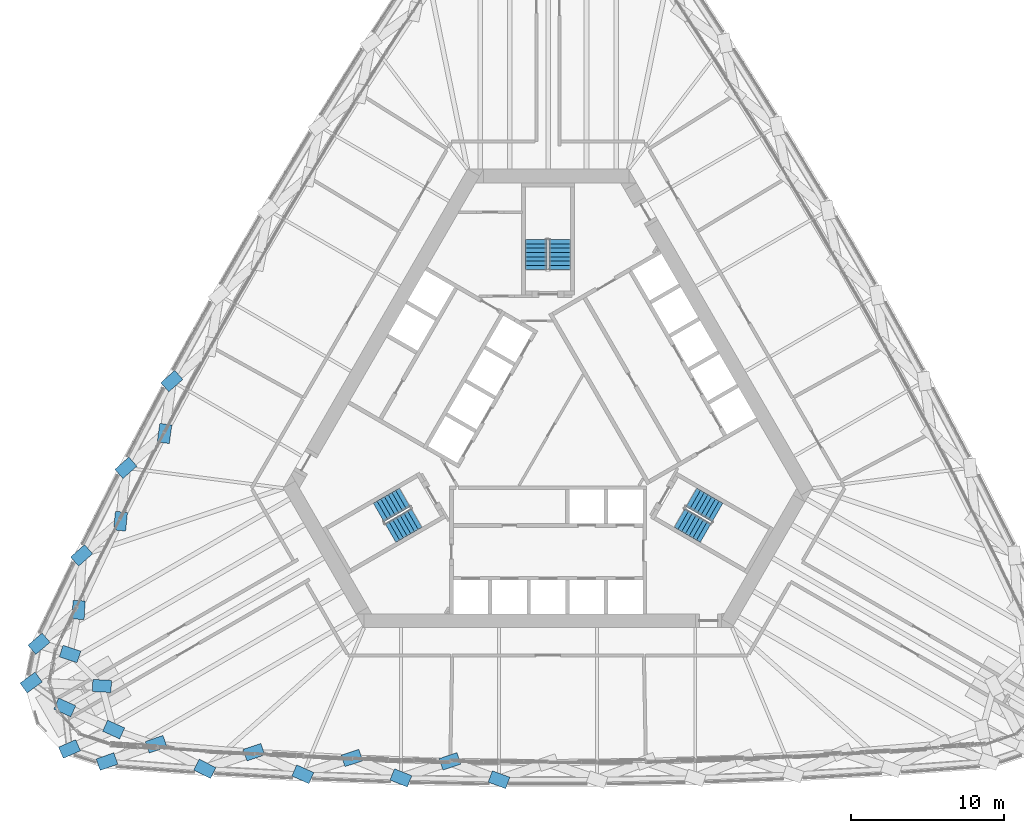
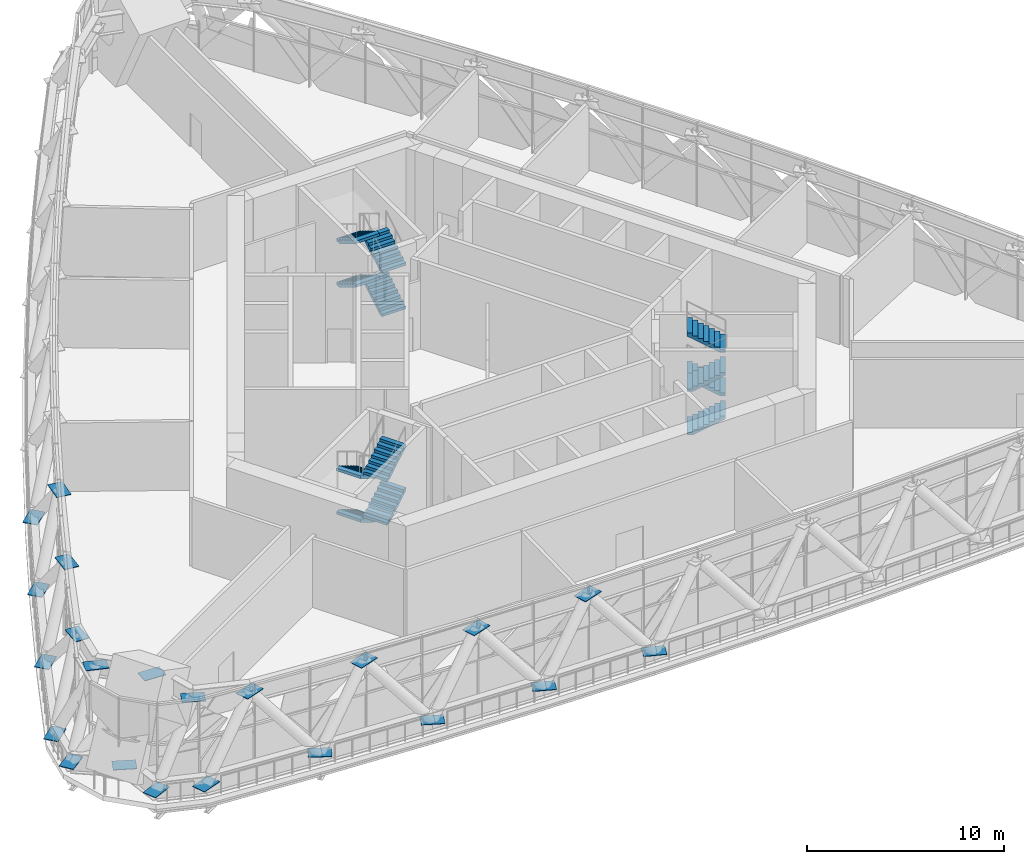
# One storey, part 31 of 43: 22 discrete accessories, 12 stair flights, 3 elements without a shape of their own.
"""IFC4 building model written with IfcOpenShell, lengths in metres."""

from ifc_helpers import new_model, si_unit, direction, frame, origin, place, context, subcontext, project, spatial, polyline, outline, extrude, material, layer, layer_set, type_object, element, aggregate, save


model = new_model("IFC4")

# Units and contexts
model_context = context("Model", 3, precision=1e-05, world=origin(), true_north=direction((0.0, 1.0)))
body_context = subcontext(model_context, "Body", "Model", "MODEL_VIEW")
ifc_project = project(units=[si_unit("LENGTHUNIT", "METRE"), si_unit("AREAUNIT", "SQUARE_METRE"), si_unit("VOLUMEUNIT", "CUBIC_METRE"), si_unit("PLANEANGLEUNIT", "RADIAN"), si_unit("MASSUNIT", "GRAM", prefix="KILO")], contexts=[model_context])

# Site, building, storey
site_placement = place(None, origin())
site = spatial("IfcSite", under=ifc_project, at=site_placement, CompositionType="ELEMENT")
building_placement = place(site_placement, origin())
building = spatial("IfcBuilding", under=site, at=building_placement, Name="Mestral Congress Tower", CompositionType="ELEMENT")
storey_placement = place(building_placement, frame((0.0, 0.0, 78.300048828125)))
storey = spatial("IfcBuildingStorey", under=building, at=storey_placement, Name="L18", CompositionType="ELEMENT", Elevation=78.300048828125)

# Stair, stair flights
ifc_material_1 = material(Name="Concrete C60/75", Category="concrete")
stair_type = type_object("IfcStairType", Name="Exit stair 1400", PredefinedType="HALF_TURN_STAIR", material=ifc_material_1)
placement_1 = place(storey_placement, origin())
stair_1 = element("IfcStair", 1, at=placement_1, inside=storey, type_object=stair_type, Name="L18 ST1", PredefinedType="HALF_TURN_STAIR")
stair_flight_type = type_object("IfcStairFlightType", Name="Exit stair flight 1400", PredefinedType="STRAIGHT", material=ifc_material_1)
stair_flight_1_placement = place(storey_placement, frame((8.575927734375, -5.84619140625, 0.0), z_axis=(0.0, 0.0, 1.0), x_axis=(0.866025403784, -0.5, 0.0)))
stair_flight_1 = element("IfcStairFlight", 2, at=stair_flight_1_placement, type_object=stair_flight_type, Name="ST1 flight 1", NumberOfRisers=8, NumberOfTreads=7, PredefinedType="STRAIGHT", RiserHeight=0.16875, TreadLength=0.28, context=body_context, shape_type="SweptSolid", body=[
    extrude(outline(polyline([(0.0, 0.0), (0.0, 0.168701171875), (0.280029296875, 0.168701171875), (0.280029296875, 0.33740234375), (0.56005859375, 0.33740234375), (0.56005859375, 0.50634765625), (0.840087890625, 0.50634765625), (0.840087890625, 0.675048828125), (1.1201171875, 0.675048828125), (1.1201171875, 0.84375), (1.39990234375, 0.84375), (1.39990234375, 1.012451171875), (1.679931640625, 1.012451171875), (1.679931640625, 1.18115234375), (1.9599609375, 1.18115234375), (1.9599609375, 1.35009765625), (1.9599609375, 1.00634765625), (0.29052734375, 0.0), (0.0, 0.0)])), frame((0.0, 0.699951171875, 0.0), z_axis=(0.0, -1.0, 0.0), x_axis=(1.0, 0.0, 0.0)), (0.0, 0.0, 1.0), 0.700927734375),
    extrude(outline(polyline([(0.0, 0.0), (0.0, 0.168701171875), (0.280029296875, 0.168701171875), (0.280029296875, 0.33740234375), (0.56005859375, 0.33740234375), (0.56005859375, 0.50634765625), (0.840087890625, 0.50634765625), (0.840087890625, 0.675048828125), (1.1201171875, 0.675048828125), (1.1201171875, 0.84375), (1.39990234375, 0.84375), (1.39990234375, 1.012451171875), (1.679931640625, 1.012451171875), (1.679931640625, 1.18115234375), (1.9599609375, 1.18115234375), (1.9599609375, 1.35009765625), (1.9599609375, 1.00634765625), (0.29052734375, 0.0), (0.0, 0.0)])), frame((0.0, 0.0009765625, 0.0), z_axis=(0.0, -1.0, 0.0), x_axis=(1.0, 0.0, 0.0)), (0.0, 0.0, 1.0), 0.700927734375),
])
stair_flight_2_placement = place(storey_placement, frame((11.04833984375, -5.48388671875, 1.349853515625), z_axis=(0.0, 0.0, 1.0), x_axis=(-0.866025403784, 0.5, 0.0)))
stair_flight_2 = element("IfcStairFlight", 3, at=stair_flight_2_placement, type_object=stair_flight_type, Name="ST1 flight 2", NumberOfRisers=8, NumberOfTreads=7, PredefinedType="STRAIGHT", RiserHeight=0.16875, TreadLength=0.28, context=body_context, shape_type="SweptSolid", body=[
    extrude(outline(polyline([(0.0, 0.0), (0.0, 0.168701171875), (0.280029296875, 0.168701171875), (0.280029296875, 0.33740234375), (0.56005859375, 0.33740234375), (0.56005859375, 0.50634765625), (0.840087890625, 0.50634765625), (0.840087890625, 0.675048828125), (1.1201171875, 0.675048828125), (1.1201171875, 0.84375), (1.39990234375, 0.84375), (1.39990234375, 1.012451171875), (1.679931640625, 1.012451171875), (1.679931640625, 1.18115234375), (1.9599609375, 1.18115234375), (1.9599609375, 1.35009765625), (1.9599609375, 1.00634765625), (0.29052734375, 0.0), (0.0, 0.0)])), frame((0.0, 0.699951171875, 0.0), z_axis=(0.0, -1.0, 0.0), x_axis=(1.0, 0.0, 0.0)), (0.0, 0.0, 1.0), 0.700927734375),
    extrude(outline(polyline([(0.0, 0.0), (0.0, 0.168701171875), (0.280029296875, 0.168701171875), (0.280029296875, 0.33740234375), (0.56005859375, 0.33740234375), (0.56005859375, 0.50634765625), (0.840087890625, 0.50634765625), (0.840087890625, 0.675048828125), (1.1201171875, 0.675048828125), (1.1201171875, 0.84375), (1.39990234375, 0.84375), (1.39990234375, 1.012451171875), (1.679931640625, 1.012451171875), (1.679931640625, 1.18115234375), (1.9599609375, 1.18115234375), (1.9599609375, 1.35009765625), (1.9599609375, 1.00634765625), (0.29052734375, 0.0), (0.0, 0.0)])), frame((0.0, 0.0009765625, 0.0), z_axis=(0.0, -1.0, 0.0), x_axis=(1.0, 0.0, 0.0)), (0.0, 0.0, 1.0), 0.700927734375),
])
stair_flight_3_placement = place(storey_placement, frame((8.575927734375, -5.84619140625, 2.699951171875), z_axis=(0.0, 0.0, 1.0), x_axis=(0.866025403784, -0.5, 0.0)))
stair_flight_3 = element("IfcStairFlight", 4, at=stair_flight_3_placement, type_object=stair_flight_type, Name="ST1 flight 3", NumberOfRisers=8, NumberOfTreads=7, PredefinedType="STRAIGHT", RiserHeight=0.16875, TreadLength=0.28, context=body_context, shape_type="SweptSolid", body=[
    extrude(outline(polyline([(0.0, 0.0), (0.0, 0.168701171875), (0.280029296875, 0.168701171875), (0.280029296875, 0.33740234375), (0.56005859375, 0.33740234375), (0.56005859375, 0.50634765625), (0.840087890625, 0.50634765625), (0.840087890625, 0.675048828125), (1.1201171875, 0.675048828125), (1.1201171875, 0.84375), (1.39990234375, 0.84375), (1.39990234375, 1.012451171875), (1.679931640625, 1.012451171875), (1.679931640625, 1.18115234375), (1.9599609375, 1.18115234375), (1.9599609375, 1.35009765625), (1.9599609375, 1.00634765625), (0.29052734375, 0.0), (0.0, 0.0)])), frame((0.0, 0.699951171875, 0.0), z_axis=(0.0, -1.0, 0.0), x_axis=(1.0, 0.0, 0.0)), (0.0, 0.0, 1.0), 0.700927734375),
    extrude(outline(polyline([(0.0, 0.0), (0.0, 0.168701171875), (0.280029296875, 0.168701171875), (0.280029296875, 0.33740234375), (0.56005859375, 0.33740234375), (0.56005859375, 0.50634765625), (0.840087890625, 0.50634765625), (0.840087890625, 0.675048828125), (1.1201171875, 0.675048828125), (1.1201171875, 0.84375), (1.39990234375, 0.84375), (1.39990234375, 1.012451171875), (1.679931640625, 1.012451171875), (1.679931640625, 1.18115234375), (1.9599609375, 1.18115234375), (1.9599609375, 1.35009765625), (1.9599609375, 1.00634765625), (0.29052734375, 0.0), (0.0, 0.0)])), frame((0.0, 0.0009765625, 0.0), z_axis=(0.0, -1.0, 0.0), x_axis=(1.0, 0.0, 0.0)), (0.0, 0.0, 1.0), 0.700927734375),
])
stair_flight_4_placement = place(storey_placement, frame((11.04833984375, -5.48388671875, 4.050048828125), z_axis=(0.0, 0.0, 1.0), x_axis=(-0.866025403784, 0.5, 0.0)))
stair_flight_4 = element("IfcStairFlight", 5, at=stair_flight_4_placement, type_object=stair_flight_type, Name="ST1 flight 4", NumberOfRisers=8, NumberOfTreads=7, PredefinedType="STRAIGHT", RiserHeight=0.16875, TreadLength=0.28, context=body_context, shape_type="SweptSolid", body=[
    extrude(outline(polyline([(0.0, 0.0), (0.0, 0.168701171875), (0.280029296875, 0.168701171875), (0.280029296875, 0.33740234375), (0.56005859375, 0.33740234375), (0.56005859375, 0.50634765625), (0.840087890625, 0.50634765625), (0.840087890625, 0.675048828125), (1.1201171875, 0.675048828125), (1.1201171875, 0.84375), (1.39990234375, 0.84375), (1.39990234375, 1.012451171875), (1.679931640625, 1.012451171875), (1.679931640625, 1.18115234375), (1.9599609375, 1.18115234375), (1.9599609375, 1.35009765625), (1.9599609375, 1.00634765625), (0.29052734375, 0.0), (0.0, 0.0)])), frame((0.0, 0.699951171875, 0.0), z_axis=(0.0, -1.0, 0.0), x_axis=(1.0, 0.0, 0.0)), (0.0, 0.0, 1.0), 0.700927734375),
    extrude(outline(polyline([(0.0, 0.0), (0.0, 0.168701171875), (0.280029296875, 0.168701171875), (0.280029296875, 0.33740234375), (0.56005859375, 0.33740234375), (0.56005859375, 0.50634765625), (0.840087890625, 0.50634765625), (0.840087890625, 0.675048828125), (1.1201171875, 0.675048828125), (1.1201171875, 0.84375), (1.39990234375, 0.84375), (1.39990234375, 1.012451171875), (1.679931640625, 1.012451171875), (1.679931640625, 1.18115234375), (1.9599609375, 1.18115234375), (1.9599609375, 1.35009765625), (1.9599609375, 1.00634765625), (0.29052734375, 0.0), (0.0, 0.0)])), frame((0.0, 0.0009765625, 0.0), z_axis=(0.0, -1.0, 0.0), x_axis=(1.0, 0.0, 0.0)), (0.0, 0.0, 1.0), 0.700927734375),
])
aggregate(stair_1, [stair_flight_1, stair_flight_2, stair_flight_3, stair_flight_4])

stair_2 = element("IfcStair", 6, at=placement_1, inside=storey, type_object=stair_type, Name="L18 ST2", PredefinedType="HALF_TURN_STAIR")
stair_flight_5_placement = place(storey_placement, frame((0.77490234375, 10.35009765625, 0.0), z_axis=(0.0, 0.0, 1.0), x_axis=(0.0, 1.0, 0.0)))
stair_flight_5 = element("IfcStairFlight", 7, at=stair_flight_5_placement, type_object=stair_flight_type, Name="ST2 flight 1", NumberOfRisers=8, NumberOfTreads=7, PredefinedType="STRAIGHT", RiserHeight=0.16875, TreadLength=0.28, context=body_context, shape_type="SweptSolid", body=[
    extrude(outline(polyline([(0.0, 0.0), (0.0, 0.168701171875), (0.280029296875, 0.168701171875), (0.280029296875, 0.33740234375), (0.56005859375, 0.33740234375), (0.56005859375, 0.50634765625), (0.840087890625, 0.50634765625), (0.840087890625, 0.675048828125), (1.1201171875, 0.675048828125), (1.1201171875, 0.84375), (1.39990234375, 0.84375), (1.39990234375, 1.012451171875), (1.679931640625, 1.012451171875), (1.679931640625, 1.18115234375), (1.9599609375, 1.18115234375), (1.9599609375, 1.35009765625), (1.9599609375, 1.00634765625), (0.29052734375, 0.0), (0.0, 0.0)])), frame((0.0, 0.699951171875, 0.0), z_axis=(0.0, -1.0, 0.0), x_axis=(1.0, 0.0, 0.0)), (0.0, 0.0, 1.0), 0.700927734375),
    extrude(outline(polyline([(0.0, 0.0), (0.0, 0.168701171875), (0.280029296875, 0.168701171875), (0.280029296875, 0.33740234375), (0.56005859375, 0.33740234375), (0.56005859375, 0.50634765625), (0.840087890625, 0.50634765625), (0.840087890625, 0.675048828125), (1.1201171875, 0.675048828125), (1.1201171875, 0.84375), (1.39990234375, 0.84375), (1.39990234375, 1.012451171875), (1.679931640625, 1.012451171875), (1.679931640625, 1.18115234375), (1.9599609375, 1.18115234375), (1.9599609375, 1.35009765625), (1.9599609375, 1.00634765625), (0.29052734375, 0.0), (0.0, 0.0)])), frame((0.0, 0.0009765625, 0.0), z_axis=(0.0, -1.0, 0.0), x_axis=(1.0, 0.0, 0.0)), (0.0, 0.0, 1.0), 0.700927734375),
])
stair_flight_6_placement = place(storey_placement, frame((-0.77490234375, 12.31005859375, 1.349853515625), z_axis=(0.0, 0.0, 1.0), x_axis=(0.0, -1.0, 0.0)))
stair_flight_6 = element("IfcStairFlight", 8, at=stair_flight_6_placement, type_object=stair_flight_type, Name="ST2 flight 2", NumberOfRisers=8, NumberOfTreads=7, PredefinedType="STRAIGHT", RiserHeight=0.16875, TreadLength=0.28, context=body_context, shape_type="SweptSolid", body=[
    extrude(outline(polyline([(0.0, 0.0), (0.0, 0.168701171875), (0.280029296875, 0.168701171875), (0.280029296875, 0.33740234375), (0.56005859375, 0.33740234375), (0.56005859375, 0.50634765625), (0.840087890625, 0.50634765625), (0.840087890625, 0.675048828125), (1.1201171875, 0.675048828125), (1.1201171875, 0.84375), (1.39990234375, 0.84375), (1.39990234375, 1.012451171875), (1.679931640625, 1.012451171875), (1.679931640625, 1.18115234375), (1.9599609375, 1.18115234375), (1.9599609375, 1.35009765625), (1.9599609375, 1.00634765625), (0.29052734375, 0.0), (0.0, 0.0)])), frame((0.0, 0.699951171875, 0.0), z_axis=(0.0, -1.0, 0.0), x_axis=(1.0, 0.0, 0.0)), (0.0, 0.0, 1.0), 0.700927734375),
    extrude(outline(polyline([(0.0, 0.0), (0.0, 0.168701171875), (0.280029296875, 0.168701171875), (0.280029296875, 0.33740234375), (0.56005859375, 0.33740234375), (0.56005859375, 0.50634765625), (0.840087890625, 0.50634765625), (0.840087890625, 0.675048828125), (1.1201171875, 0.675048828125), (1.1201171875, 0.84375), (1.39990234375, 0.84375), (1.39990234375, 1.012451171875), (1.679931640625, 1.012451171875), (1.679931640625, 1.18115234375), (1.9599609375, 1.18115234375), (1.9599609375, 1.35009765625), (1.9599609375, 1.00634765625), (0.29052734375, 0.0), (0.0, 0.0)])), frame((0.0, 0.0009765625, 0.0), z_axis=(0.0, -1.0, 0.0), x_axis=(1.0, 0.0, 0.0)), (0.0, 0.0, 1.0), 0.700927734375),
])
stair_flight_7_placement = place(storey_placement, frame((0.77490234375, 10.35009765625, 2.699951171875), z_axis=(0.0, 0.0, 1.0), x_axis=(0.0, 1.0, 0.0)))
stair_flight_7 = element("IfcStairFlight", 9, at=stair_flight_7_placement, type_object=stair_flight_type, Name="ST2 flight 3", NumberOfRisers=8, NumberOfTreads=7, PredefinedType="STRAIGHT", RiserHeight=0.16875, TreadLength=0.28, context=body_context, shape_type="SweptSolid", body=[
    extrude(outline(polyline([(0.0, 0.0), (0.0, 0.168701171875), (0.280029296875, 0.168701171875), (0.280029296875, 0.33740234375), (0.56005859375, 0.33740234375), (0.56005859375, 0.50634765625), (0.840087890625, 0.50634765625), (0.840087890625, 0.675048828125), (1.1201171875, 0.675048828125), (1.1201171875, 0.84375), (1.39990234375, 0.84375), (1.39990234375, 1.012451171875), (1.679931640625, 1.012451171875), (1.679931640625, 1.18115234375), (1.9599609375, 1.18115234375), (1.9599609375, 1.35009765625), (1.9599609375, 1.00634765625), (0.29052734375, 0.0), (0.0, 0.0)])), frame((0.0, 0.699951171875, 0.0), z_axis=(0.0, -1.0, 0.0), x_axis=(1.0, 0.0, 0.0)), (0.0, 0.0, 1.0), 0.700927734375),
    extrude(outline(polyline([(0.0, 0.0), (0.0, 0.168701171875), (0.280029296875, 0.168701171875), (0.280029296875, 0.33740234375), (0.56005859375, 0.33740234375), (0.56005859375, 0.50634765625), (0.840087890625, 0.50634765625), (0.840087890625, 0.675048828125), (1.1201171875, 0.675048828125), (1.1201171875, 0.84375), (1.39990234375, 0.84375), (1.39990234375, 1.012451171875), (1.679931640625, 1.012451171875), (1.679931640625, 1.18115234375), (1.9599609375, 1.18115234375), (1.9599609375, 1.35009765625), (1.9599609375, 1.00634765625), (0.29052734375, 0.0), (0.0, 0.0)])), frame((0.0, 0.0009765625, 0.0), z_axis=(0.0, -1.0, 0.0), x_axis=(1.0, 0.0, 0.0)), (0.0, 0.0, 1.0), 0.700927734375),
])
stair_flight_8_placement = place(storey_placement, frame((-0.77490234375, 12.31005859375, 4.050048828125), z_axis=(0.0, 0.0, 1.0), x_axis=(0.0, -1.0, 0.0)))
stair_flight_8 = element("IfcStairFlight", 10, at=stair_flight_8_placement, type_object=stair_flight_type, Name="ST2 flight 4", NumberOfRisers=8, NumberOfTreads=7, PredefinedType="STRAIGHT", RiserHeight=0.16875, TreadLength=0.28, context=body_context, shape_type="SweptSolid", body=[
    extrude(outline(polyline([(0.0, 0.0), (0.0, 0.168701171875), (0.280029296875, 0.168701171875), (0.280029296875, 0.33740234375), (0.56005859375, 0.33740234375), (0.56005859375, 0.50634765625), (0.840087890625, 0.50634765625), (0.840087890625, 0.675048828125), (1.1201171875, 0.675048828125), (1.1201171875, 0.84375), (1.39990234375, 0.84375), (1.39990234375, 1.012451171875), (1.679931640625, 1.012451171875), (1.679931640625, 1.18115234375), (1.9599609375, 1.18115234375), (1.9599609375, 1.35009765625), (1.9599609375, 1.00634765625), (0.29052734375, 0.0), (0.0, 0.0)])), frame((0.0, 0.699951171875, 0.0), z_axis=(0.0, -1.0, 0.0), x_axis=(1.0, 0.0, 0.0)), (0.0, 0.0, 1.0), 0.700927734375),
    extrude(outline(polyline([(0.0, 0.0), (0.0, 0.168701171875), (0.280029296875, 0.168701171875), (0.280029296875, 0.33740234375), (0.56005859375, 0.33740234375), (0.56005859375, 0.50634765625), (0.840087890625, 0.50634765625), (0.840087890625, 0.675048828125), (1.1201171875, 0.675048828125), (1.1201171875, 0.84375), (1.39990234375, 0.84375), (1.39990234375, 1.012451171875), (1.679931640625, 1.012451171875), (1.679931640625, 1.18115234375), (1.9599609375, 1.18115234375), (1.9599609375, 1.35009765625), (1.9599609375, 1.00634765625), (0.29052734375, 0.0), (0.0, 0.0)])), frame((0.0, 0.0009765625, 0.0), z_axis=(0.0, -1.0, 0.0), x_axis=(1.0, 0.0, 0.0)), (0.0, 0.0, 1.0), 0.700927734375),
])
aggregate(stair_2, [stair_flight_5, stair_flight_6, stair_flight_7, stair_flight_8])

stair_3 = element("IfcStair", 11, at=placement_1, inside=storey, type_object=stair_type, Name="L18 ST3", PredefinedType="HALF_TURN_STAIR")
stair_flight_9_placement = place(storey_placement, frame((-9.350830078125, -4.50390625, 0.0), z_axis=(0.0, 0.0, 1.0), x_axis=(-0.866025403784, -0.5, 0.0)))
stair_flight_9 = element("IfcStairFlight", 12, at=stair_flight_9_placement, type_object=stair_flight_type, Name="ST3 flight 1", NumberOfRisers=8, NumberOfTreads=7, PredefinedType="STRAIGHT", RiserHeight=0.16875, TreadLength=0.28, context=body_context, shape_type="SweptSolid", body=[
    extrude(outline(polyline([(0.0, 0.0), (0.0, 0.168701171875), (0.280029296875, 0.168701171875), (0.280029296875, 0.33740234375), (0.56005859375, 0.33740234375), (0.56005859375, 0.50634765625), (0.840087890625, 0.50634765625), (0.840087890625, 0.675048828125), (1.1201171875, 0.675048828125), (1.1201171875, 0.84375), (1.39990234375, 0.84375), (1.39990234375, 1.012451171875), (1.679931640625, 1.012451171875), (1.679931640625, 1.18115234375), (1.9599609375, 1.18115234375), (1.9599609375, 1.35009765625), (1.9599609375, 1.00634765625), (0.29052734375, 0.0), (0.0, 0.0)])), frame((0.0, 0.699951171875, 0.0), z_axis=(0.0, -1.0, 0.0), x_axis=(1.0, 0.0, 0.0)), (0.0, 0.0, 1.0), 0.700927734375),
    extrude(outline(polyline([(0.0, 0.0), (0.0, 0.168701171875), (0.280029296875, 0.168701171875), (0.280029296875, 0.33740234375), (0.56005859375, 0.33740234375), (0.56005859375, 0.50634765625), (0.840087890625, 0.50634765625), (0.840087890625, 0.675048828125), (1.1201171875, 0.675048828125), (1.1201171875, 0.84375), (1.39990234375, 0.84375), (1.39990234375, 1.012451171875), (1.679931640625, 1.012451171875), (1.679931640625, 1.18115234375), (1.9599609375, 1.18115234375), (1.9599609375, 1.35009765625), (1.9599609375, 1.00634765625), (0.29052734375, 0.0), (0.0, 0.0)])), frame((0.0, 0.0009765625, 0.0), z_axis=(0.0, -1.0, 0.0), x_axis=(1.0, 0.0, 0.0)), (0.0, 0.0, 1.0), 0.700927734375),
])
stair_flight_10_placement = place(storey_placement, frame((-10.273193359375, -6.826171875, 1.349853515625), z_axis=(0.0, 0.0, 1.0), x_axis=(0.866025403784, 0.5, 0.0)))
stair_flight_10 = element("IfcStairFlight", 13, at=stair_flight_10_placement, type_object=stair_flight_type, Name="ST3 flight 2", NumberOfRisers=8, NumberOfTreads=7, PredefinedType="STRAIGHT", RiserHeight=0.16875, TreadLength=0.28, context=body_context, shape_type="SweptSolid", body=[
    extrude(outline(polyline([(0.0, 0.0), (0.0, 0.168701171875), (0.280029296875, 0.168701171875), (0.280029296875, 0.33740234375), (0.56005859375, 0.33740234375), (0.56005859375, 0.50634765625), (0.840087890625, 0.50634765625), (0.840087890625, 0.675048828125), (1.1201171875, 0.675048828125), (1.1201171875, 0.84375), (1.39990234375, 0.84375), (1.39990234375, 1.012451171875), (1.679931640625, 1.012451171875), (1.679931640625, 1.18115234375), (1.9599609375, 1.18115234375), (1.9599609375, 1.35009765625), (1.9599609375, 1.00634765625), (0.29052734375, 0.0), (0.0, 0.0)])), frame((0.0, 0.699951171875, 0.0), z_axis=(0.0, -1.0, 0.0), x_axis=(1.0, 0.0, 0.0)), (0.0, 0.0, 1.0), 0.700927734375),
    extrude(outline(polyline([(0.0, 0.0), (0.0, 0.168701171875), (0.280029296875, 0.168701171875), (0.280029296875, 0.33740234375), (0.56005859375, 0.33740234375), (0.56005859375, 0.50634765625), (0.840087890625, 0.50634765625), (0.840087890625, 0.675048828125), (1.1201171875, 0.675048828125), (1.1201171875, 0.84375), (1.39990234375, 0.84375), (1.39990234375, 1.012451171875), (1.679931640625, 1.012451171875), (1.679931640625, 1.18115234375), (1.9599609375, 1.18115234375), (1.9599609375, 1.35009765625), (1.9599609375, 1.00634765625), (0.29052734375, 0.0), (0.0, 0.0)])), frame((0.0, 0.0009765625, 0.0), z_axis=(0.0, -1.0, 0.0), x_axis=(1.0, 0.0, 0.0)), (0.0, 0.0, 1.0), 0.700927734375),
])
stair_flight_11_placement = place(storey_placement, frame((-9.350830078125, -4.50390625, 2.699951171875), z_axis=(0.0, 0.0, 1.0), x_axis=(-0.866025403784, -0.5, 0.0)))
stair_flight_11 = element("IfcStairFlight", 14, at=stair_flight_11_placement, type_object=stair_flight_type, Name="ST3 flight 3", NumberOfRisers=8, NumberOfTreads=7, PredefinedType="STRAIGHT", RiserHeight=0.16875, TreadLength=0.28, context=body_context, shape_type="SweptSolid", body=[
    extrude(outline(polyline([(0.0, 0.0), (0.0, 0.168701171875), (0.280029296875, 0.168701171875), (0.280029296875, 0.33740234375), (0.56005859375, 0.33740234375), (0.56005859375, 0.50634765625), (0.840087890625, 0.50634765625), (0.840087890625, 0.675048828125), (1.1201171875, 0.675048828125), (1.1201171875, 0.84375), (1.39990234375, 0.84375), (1.39990234375, 1.012451171875), (1.679931640625, 1.012451171875), (1.679931640625, 1.18115234375), (1.9599609375, 1.18115234375), (1.9599609375, 1.35009765625), (1.9599609375, 1.00634765625), (0.29052734375, 0.0), (0.0, 0.0)])), frame((0.0, 0.699951171875, 0.0), z_axis=(0.0, -1.0, 0.0), x_axis=(1.0, 0.0, 0.0)), (0.0, 0.0, 1.0), 0.700927734375),
    extrude(outline(polyline([(0.0, 0.0), (0.0, 0.168701171875), (0.280029296875, 0.168701171875), (0.280029296875, 0.33740234375), (0.56005859375, 0.33740234375), (0.56005859375, 0.50634765625), (0.840087890625, 0.50634765625), (0.840087890625, 0.675048828125), (1.1201171875, 0.675048828125), (1.1201171875, 0.84375), (1.39990234375, 0.84375), (1.39990234375, 1.012451171875), (1.679931640625, 1.012451171875), (1.679931640625, 1.18115234375), (1.9599609375, 1.18115234375), (1.9599609375, 1.35009765625), (1.9599609375, 1.00634765625), (0.29052734375, 0.0), (0.0, 0.0)])), frame((0.0, 0.0009765625, 0.0), z_axis=(0.0, -1.0, 0.0), x_axis=(1.0, 0.0, 0.0)), (0.0, 0.0, 1.0), 0.700927734375),
])
stair_flight_12_placement = place(storey_placement, frame((-10.273193359375, -6.826171875, 4.050048828125), z_axis=(0.0, 0.0, 1.0), x_axis=(0.866025403784, 0.5, 0.0)))
stair_flight_12 = element("IfcStairFlight", 15, at=stair_flight_12_placement, type_object=stair_flight_type, Name="ST3 flight 4", NumberOfRisers=8, NumberOfTreads=7, PredefinedType="STRAIGHT", RiserHeight=0.16875, TreadLength=0.28, context=body_context, shape_type="SweptSolid", body=[
    extrude(outline(polyline([(0.0, 0.0), (0.0, 0.168701171875), (0.280029296875, 0.168701171875), (0.280029296875, 0.33740234375), (0.56005859375, 0.33740234375), (0.56005859375, 0.50634765625), (0.840087890625, 0.50634765625), (0.840087890625, 0.675048828125), (1.1201171875, 0.675048828125), (1.1201171875, 0.84375), (1.39990234375, 0.84375), (1.39990234375, 1.012451171875), (1.679931640625, 1.012451171875), (1.679931640625, 1.18115234375), (1.9599609375, 1.18115234375), (1.9599609375, 1.35009765625), (1.9599609375, 1.00634765625), (0.29052734375, 0.0), (0.0, 0.0)])), frame((0.0, 0.699951171875, 0.0), z_axis=(0.0, -1.0, 0.0), x_axis=(1.0, 0.0, 0.0)), (0.0, 0.0, 1.0), 0.700927734375),
    extrude(outline(polyline([(0.0, 0.0), (0.0, 0.168701171875), (0.280029296875, 0.168701171875), (0.280029296875, 0.33740234375), (0.56005859375, 0.33740234375), (0.56005859375, 0.50634765625), (0.840087890625, 0.50634765625), (0.840087890625, 0.675048828125), (1.1201171875, 0.675048828125), (1.1201171875, 0.84375), (1.39990234375, 0.84375), (1.39990234375, 1.012451171875), (1.679931640625, 1.012451171875), (1.679931640625, 1.18115234375), (1.9599609375, 1.18115234375), (1.9599609375, 1.35009765625), (1.9599609375, 1.00634765625), (0.29052734375, 0.0), (0.0, 0.0)])), frame((0.0, 0.0009765625, 0.0), z_axis=(0.0, -1.0, 0.0), x_axis=(1.0, 0.0, 0.0)), (0.0, 0.0, 1.0), 0.700927734375),
])
aggregate(stair_3, [stair_flight_9, stair_flight_10, stair_flight_11, stair_flight_12])

# Discrete accessories
ifc_material_2 = material(Name="Steel S355", Category="steel")
ifc_layer = layer(ifc_material_2, 0.034912109375)
ifc_layer_set = layer_set([ifc_layer], Name="Steel S355")
discrete_accessory_type = type_object("IfcDiscreteAccessoryType", Name="Brace end gusset plate 35 S355", PredefinedType="BRACKET", material=ifc_layer_set)
placement_2 = place(storey_placement, frame((0.0, 0.0, 0.58251953125)))
element("IfcDiscreteAccessory", 16, at=placement_2, inside=storey, type_object=discrete_accessory_type, Name="Brace end gusset plate 35 S355", PredefinedType="BRACKET", context=body_context, shape_type="SweptSolid", body=[
    extrude(outline(polyline([(-33.970947265625, -17.25439453125), (-32.987060546875, -16.533203125), (-33.455810546875, -15.8935546875), (-34.439697265625, -16.614990234375), (-33.970947265625, -17.25439453125)])), origin(), (0.0, 0.0, 1.0), 0.034912109375),
])
element("IfcDiscreteAccessory", 17, at=placement_2, inside=storey, type_object=discrete_accessory_type, Name="Brace end gusset plate 35 S355", PredefinedType="BRACKET", context=body_context, shape_type="SweptSolid", body=[
    extrude(outline(polyline([(-33.408935546875, -14.7451171875), (-32.4814453125, -13.952392578125), (-32.99658203125, -13.349609375), (-33.924072265625, -14.142333984375), (-33.408935546875, -14.7451171875)])), origin(), (0.0, 0.0, 1.0), 0.034912109375),
])
element("IfcDiscreteAccessory", 18, at=placement_2, inside=storey, type_object=discrete_accessory_type, Name="Brace end gusset plate 35 S355", PredefinedType="BRACKET", context=body_context, shape_type="SweptSolid", body=[
    extrude(outline(polyline([(-32.24169921875, -18.309326171875), (-31.1298828125, -18.81201171875), (-30.80322265625, -18.089599609375), (-31.914794921875, -17.5869140625), (-32.24169921875, -18.309326171875)])), origin(), (0.0, 0.0, 1.0), 0.034912109375),
])
element("IfcDiscreteAccessory", 19, at=placement_2, inside=storey, type_object=discrete_accessory_type, Name="Brace end gusset plate 35 S355", PredefinedType="BRACKET", context=body_context, shape_type="SweptSolid", body=[
    extrude(outline(polyline([(-31.60888671875, -21.518310546875), (-30.4921875, -21.02685546875), (-30.8115234375, -20.301025390625), (-31.92822265625, -20.79248046875), (-31.60888671875, -21.518310546875)])), origin(), (0.0, 0.0, 1.0), 0.034912109375),
])
placement_3 = place(storey_placement, frame((0.0, 0.0, 4.532470703125)))
element("IfcDiscreteAccessory", 20, at=placement_3, inside=storey, type_object=discrete_accessory_type, Name="Brace end gusset plate 35 S355", PredefinedType="BRACKET", context=body_context, shape_type="SweptSolid", body=[
    extrude(outline(polyline([(-30.473388671875, -14.528076171875), (-31.63232421875, -14.146728515625), (-31.880126953125, -14.900146484375), (-30.72119140625, -15.281494140625), (-30.473388671875, -14.528076171875)])), origin(), (0.0, 0.0, 1.0), 0.034912109375),
])
element("IfcDiscreteAccessory", 21, at=placement_3, inside=storey, type_object=discrete_accessory_type, Name="Brace end gusset plate 35 S355", PredefinedType="BRACKET", context=body_context, shape_type="SweptSolid", body=[
    extrude(outline(polyline([(-30.257080078125, -12.470458984375), (-30.189208984375, -11.25244140625), (-30.98095703125, -11.208251953125), (-31.048828125, -12.426513671875), (-30.257080078125, -12.470458984375)])), origin(), (0.0, 0.0, 1.0), 0.034912109375),
])
element("IfcDiscreteAccessory", 22, at=placement_2, inside=storey, type_object=discrete_accessory_type, Name="Brace end gusset plate 35 S355", PredefinedType="BRACKET", context=body_context, shape_type="SweptSolid", body=[
    extrude(outline(polyline([(-30.61767578125, -8.984130859375), (-29.701171875, -8.178955078125), (-30.224609375, -7.5830078125), (-31.14111328125, -8.38818359375), (-30.61767578125, -8.984130859375)])), origin(), (0.0, 0.0, 1.0), 0.034912109375),
])
element("IfcDiscreteAccessory", 23, at=placement_3, inside=storey, type_object=discrete_accessory_type, Name="Brace end gusset plate 35 S355", PredefinedType="BRACKET", context=body_context, shape_type="SweptSolid", body=[
    extrude(outline(polyline([(-28.468505859375, -16.43310546875), (-29.68701171875, -16.37353515625), (-29.725830078125, -17.16552734375), (-28.50732421875, -17.22509765625), (-28.468505859375, -16.43310546875)])), origin(), (0.0, 0.0, 1.0), 0.034912109375),
])
element("IfcDiscreteAccessory", 24, at=placement_2, inside=storey, type_object=discrete_accessory_type, Name="Brace end gusset plate 35 S355", PredefinedType="BRACKET", context=body_context, shape_type="SweptSolid", body=[
    extrude(outline(polyline([(-29.209716796875, -22.30810546875), (-28.0595703125, -21.901123046875), (-28.323974609375, -21.153564453125), (-29.47412109375, -21.560546875), (-29.209716796875, -22.30810546875)])), origin(), (0.0, 0.0, 1.0), 0.034912109375),
])
element("IfcDiscreteAccessory", 25, at=placement_3, inside=storey, type_object=discrete_accessory_type, Name="Brace end gusset plate 35 S355", PredefinedType="BRACKET", context=body_context, shape_type="SweptSolid", body=[
    extrude(outline(polyline([(-27.612060546875, -19.532958984375), (-28.7236328125, -19.0302734375), (-29.05029296875, -19.752685546875), (-27.938720703125, -20.25537109375), (-27.612060546875, -19.532958984375)])), origin(), (0.0, 0.0, 1.0), 0.034912109375),
])
element("IfcDiscreteAccessory", 26, at=placement_3, inside=storey, type_object=discrete_accessory_type, Name="Brace end gusset plate 35 S355", PredefinedType="BRACKET", context=body_context, shape_type="SweptSolid", body=[
    extrude(outline(polyline([(-27.54931640625, -6.700439453125), (-27.427490234375, -5.486572265625), (-28.216552734375, -5.4072265625), (-28.33837890625, -6.62109375), (-27.54931640625, -6.700439453125)])), origin(), (0.0, 0.0, 1.0), 0.034912109375),
])
element("IfcDiscreteAccessory", 27, at=placement_2, inside=storey, type_object=discrete_accessory_type, Name="Brace end gusset plate 35 S355", PredefinedType="BRACKET", context=body_context, shape_type="SweptSolid", body=[
    extrude(outline(polyline([(-27.726318359375, -3.273681640625), (-26.81396484375, -2.4638671875), (-27.34033203125, -1.870849609375), (-28.252685546875, -2.680908203125), (-27.726318359375, -3.273681640625)])), origin(), (0.0, 0.0, 1.0), 0.034912109375),
])
element("IfcDiscreteAccessory", 28, at=placement_3, inside=storey, type_object=discrete_accessory_type, Name="Brace end gusset plate 35 S355", PredefinedType="BRACKET", context=body_context, shape_type="SweptSolid", body=[
    extrude(outline(polyline([(-25.119873046875, -20.02001953125), (-26.27001953125, -20.427001953125), (-26.005615234375, -21.174560546875), (-24.85546875, -20.767578125), (-25.119873046875, -20.02001953125)])), origin(), (0.0, 0.0, 1.0), 0.034912109375),
])
element("IfcDiscreteAccessory", 29, at=placement_3, inside=storey, type_object=discrete_accessory_type, Name="Brace end gusset plate 35 S355", PredefinedType="BRACKET", context=body_context, shape_type="SweptSolid", body=[
    extrude(outline(polyline([(-24.702880859375, -0.992431640625), (-24.5361328125, 0.21630859375), (-25.32177734375, 0.32470703125), (-25.488525390625, -0.884033203125), (-24.702880859375, -0.992431640625)])), origin(), (0.0, 0.0, 1.0), 0.034912109375),
])
element("IfcDiscreteAccessory", 30, at=placement_2, inside=storey, type_object=discrete_accessory_type, Name="Brace end gusset plate 35 S355", PredefinedType="BRACKET", context=body_context, shape_type="SweptSolid", body=[
    extrude(outline(polyline([(-24.735595703125, 2.3837890625), (-23.820556640625, 3.19091796875), (-24.34521484375, 3.78564453125), (-25.26025390625, 2.978515625), (-24.735595703125, 2.3837890625)])), origin(), (0.0, 0.0, 1.0), 0.034912109375),
])
element("IfcDiscreteAccessory", 31, at=placement_2, inside=storey, type_object=discrete_accessory_type, Name="Brace end gusset plate 35 S355", PredefinedType="BRACKET", context=body_context, shape_type="SweptSolid", body=[
    extrude(outline(polyline([(-21.6611328125, -22.125), (-22.75, -21.57470703125), (-23.107666015625, -22.2822265625), (-22.018798828125, -22.83251953125), (-21.6611328125, -22.125)])), origin(), (0.0, 0.0, 1.0), 0.034912109375),
])
element("IfcDiscreteAccessory", 32, at=placement_3, inside=storey, type_object=discrete_accessory_type, Name="Brace end gusset plate 35 S355", PredefinedType="BRACKET", context=body_context, shape_type="SweptSolid", body=[
    extrude(outline(polyline([(-18.733642578125, -20.54931640625), (-19.88916015625, -20.9404296875), (-19.635009765625, -21.69140625), (-18.4794921875, -21.30029296875), (-18.733642578125, -20.54931640625)])), origin(), (0.0, 0.0, 1.0), 0.034912109375),
])
element("IfcDiscreteAccessory", 33, at=placement_2, inside=storey, type_object=discrete_accessory_type, Name="Brace end gusset plate 35 S355", PredefinedType="BRACKET", context=body_context, shape_type="SweptSolid", body=[
    extrude(outline(polyline([(-15.275146484375, -22.447509765625), (-16.387451171875, -21.9462890625), (-16.71337890625, -22.669189453125), (-15.60107421875, -23.170654296875), (-15.275146484375, -22.447509765625)])), origin(), (0.0, 0.0, 1.0), 0.034912109375),
])
element("IfcDiscreteAccessory", 34, at=placement_3, inside=storey, type_object=discrete_accessory_type, Name="Brace end gusset plate 35 S355", PredefinedType="BRACKET", context=body_context, shape_type="SweptSolid", body=[
    extrude(outline(polyline([(-12.341552734375, -20.925537109375), (-13.499267578125, -21.310791015625), (-13.2490234375, -22.063232421875), (-12.09130859375, -21.677978515625), (-12.341552734375, -20.925537109375)])), origin(), (0.0, 0.0, 1.0), 0.034912109375),
])
element("IfcDiscreteAccessory", 35, at=placement_2, inside=storey, type_object=discrete_accessory_type, Name="Brace end gusset plate 35 S355", PredefinedType="BRACKET", context=body_context, shape_type="SweptSolid", body=[
    extrude(outline(polyline([(-8.884521484375, -22.657470703125), (-10.014404296875, -22.19775390625), (-10.313232421875, -22.932373046875), (-9.18310546875, -23.39208984375), (-8.884521484375, -22.657470703125)])), origin(), (0.0, 0.0, 1.0), 0.034912109375),
])
element("IfcDiscreteAccessory", 36, at=placement_3, inside=storey, type_object=discrete_accessory_type, Name="Brace end gusset plate 35 S355", PredefinedType="BRACKET", context=body_context, shape_type="SweptSolid", body=[
    extrude(outline(polyline([(-5.947509765625, -21.1484375), (-7.10400390625, -21.53759765625), (-6.851318359375, -22.2890625), (-5.69482421875, -21.900146484375), (-5.947509765625, -21.1484375)])), origin(), (0.0, 0.0, 1.0), 0.034912109375),
])
element("IfcDiscreteAccessory", 37, at=placement_2, inside=storey, type_object=discrete_accessory_type, Name="Brace end gusset plate 35 S355", PredefinedType="BRACKET", context=body_context, shape_type="SweptSolid", body=[
    extrude(outline(polyline([(-2.489990234375, -22.755126953125), (-3.6328125, -22.328369140625), (-3.91015625, -23.0712890625), (-2.76708984375, -23.498046875), (-2.489990234375, -22.755126953125)])), origin(), (0.0, 0.0, 1.0), 0.034912109375),
])

save(model, "model.ifc")
